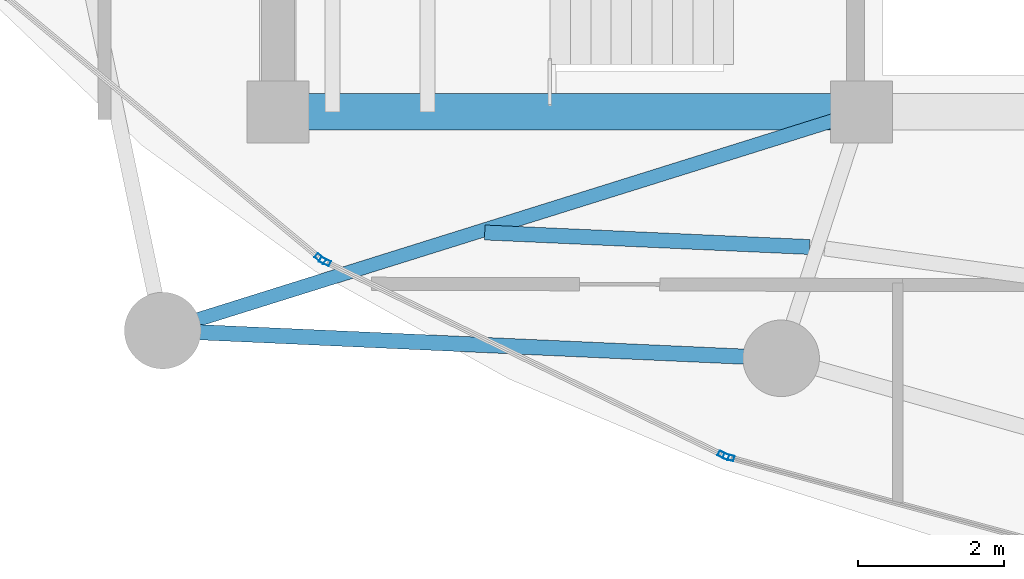
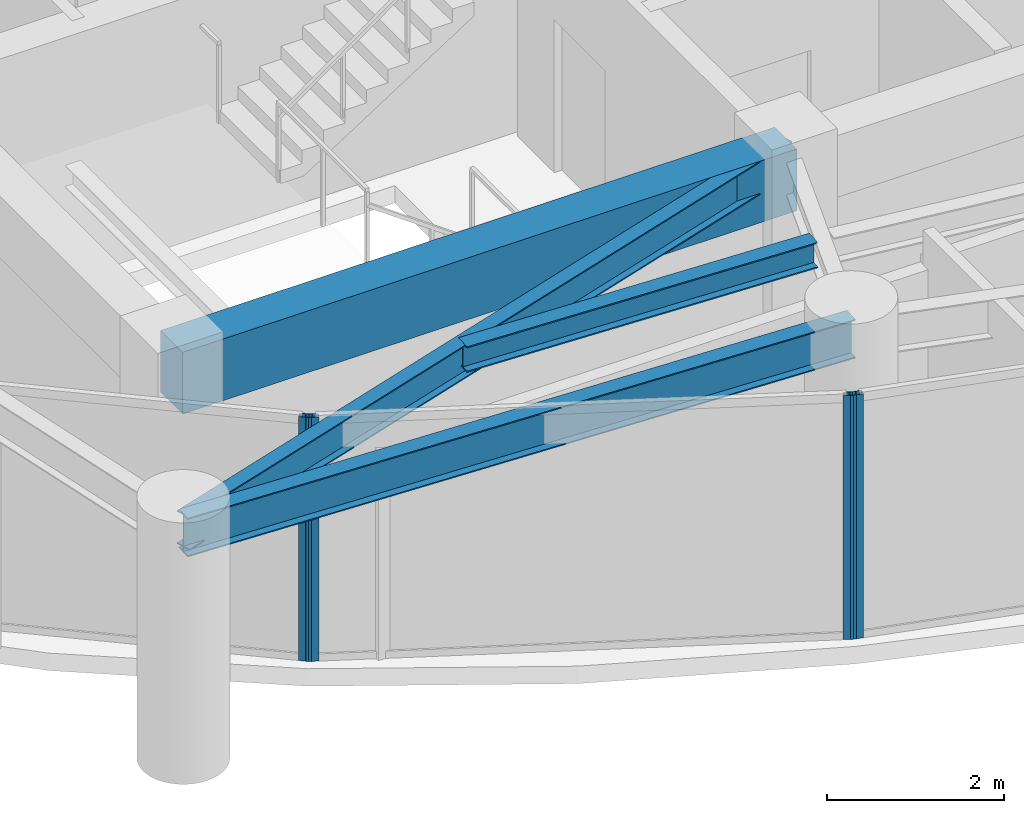
# One storey, part 2 of 31: 4 beams, 4 members, 3 elements without a shape of their own.
"""IFC4 building model written with IfcOpenShell, lengths in metres."""

from ifc_helpers import new_model, si_unit, direction, frame, origin, origin_2d, place, context, subcontext, project, spatial, rectangle, hollow_rectangle, i_section, extrude, material, layer, layer_set, material_profile, profile_set, type_object, element, aggregate, save


model = new_model("IFC4")

# Units and contexts
model_context = context("Model", 3, precision=1e-05, world=origin(), true_north=direction((0.0, 1.0)))
body_context = subcontext(model_context, "Body", "Model", "MODEL_VIEW")
ifc_project = project(units=[si_unit("LENGTHUNIT", "METRE"), si_unit("AREAUNIT", "SQUARE_METRE"), si_unit("VOLUMEUNIT", "CUBIC_METRE"), si_unit("PLANEANGLEUNIT", "RADIAN"), si_unit("MASSUNIT", "GRAM", prefix="KILO")], contexts=[model_context])

# Site, building, storey
site_placement = place(None, origin())
site = spatial("IfcSite", under=ifc_project, at=site_placement, CompositionType="ELEMENT")
building_placement = place(site_placement, origin())
building = spatial("IfcBuilding", under=site, at=building_placement, Name="Kazevale Care Tower and Concert Hall", CompositionType="ELEMENT")
storey_placement = place(building_placement, frame((0.0, 0.0, 238.800048828125)))
storey = spatial("IfcBuildingStorey", under=building, at=storey_placement, Name="L63", CompositionType="ELEMENT", Elevation=238.800048828125)

# Curtain wall, member
ifc_material_1 = material(Name="Aluminium 6063-T6 and Low-E Glass", Category="aluminium")
ifc_layer = layer(ifc_material_1, 0.179931640625)
ifc_layer_set = layer_set([ifc_layer], Name="Aluminium 6063-T6 and Low-E Glass")
curtain_wall_type = type_object("IfcCurtainWallType", Name="Sheltered Concave Balcony Curtain Wall CW-5", PredefinedType="NOTDEFINED", material=ifc_layer_set)
curtain_wall_1_placement = place(storey_placement, origin())
curtain_wall_1 = element("IfcCurtainWall", 1, at=curtain_wall_1_placement, inside=storey, type_object=curtain_wall_type, Name="cw:L63:f08", PredefinedType="NOTDEFINED")
ifc_material_2 = material(Name="Aluminium 6063-T6", Category="aluminium")
ifc_material_profile_1 = material_profile(ifc_material_2, hollow_rectangle(XDim=0.074951171875, YDim=0.14990234375, WallThickness=0.00390625, at=origin_2d()), Name="ALU75x150x4")
ifc_profile_set_1 = profile_set([ifc_material_profile_1], Name="Aluminium 6063-T6")
member_type = type_object("IfcMemberType", Name="CW-5 Mullion ALU75x150x4", PredefinedType="MULLION", material=ifc_profile_set_1)
member_1_placement = place(storey_placement, frame((28.18017578125, 18.863037109375, 0.0), z_axis=(0.0, 0.0, 1.0), x_axis=(-0.262848968947, -0.964836991167, 0.0)))
member_1 = element("IfcMember", 2, at=member_1_placement, type_object=member_type, Name="CW-5 mullion 2", PredefinedType="MULLION", context=body_context, shape_type="SweptSolid", body=[
    extrude(hollow_rectangle(XDim=0.074951171875, YDim=0.14990234375, WallThickness=0.00390625, at=origin_2d()), origin(), (0.0, 0.0, 1.0), 3.35986328125),
])
aggregate(curtain_wall_1, [member_1])

# Curtain wall, members
curtain_wall_2_placement = place(storey_placement, origin())
curtain_wall_2 = element("IfcCurtainWall", 3, at=curtain_wall_2_placement, inside=storey, type_object=curtain_wall_type, Name="cw:L63:f09", PredefinedType="NOTDEFINED")
member_2_placement = place(storey_placement, frame((28.1103515625, 18.889404296875, 0.0), z_axis=(0.0, 0.0, 1.0), x_axis=(-0.437238357087, -0.89934566163, 0.0)))
member_2 = element("IfcMember", 4, at=member_2_placement, type_object=member_type, Name="CW-5 mullion 1", PredefinedType="MULLION", context=body_context, shape_type="SweptSolid", body=[
    extrude(hollow_rectangle(XDim=0.074951171875, YDim=0.14990234375, WallThickness=0.00390625, at=origin_2d()), origin(), (0.0, 0.0, 1.0), 3.35986328125),
])
member_3_placement = place(storey_placement, frame((22.644775390625, 21.546630859375, 0.0), z_axis=(0.0, 0.0, 1.0), x_axis=(-0.437238357087, -0.89934566163, 0.0)))
member_3 = element("IfcMember", 5, at=member_3_placement, type_object=member_type, Name="CW-5 mullion 2", PredefinedType="MULLION", context=body_context, shape_type="SweptSolid", body=[
    extrude(hollow_rectangle(XDim=0.074951171875, YDim=0.14990234375, WallThickness=0.00390625, at=origin_2d()), origin(), (0.0, 0.0, 1.0), 3.35986328125),
])
aggregate(curtain_wall_2, [member_2, member_3])

# Curtain wall, member
curtain_wall_3_placement = place(storey_placement, origin())
curtain_wall_3 = element("IfcCurtainWall", 6, at=curtain_wall_3_placement, inside=storey, type_object=curtain_wall_type, Name="cw:L63:f10", PredefinedType="NOTDEFINED")
member_4_placement = place(storey_placement, frame((22.582275390625, 21.5869140625, 0.0), z_axis=(0.0, 0.0, 1.0), x_axis=(-0.639961217204, -0.768407210062, 0.0)))
member_4 = element("IfcMember", 7, at=member_4_placement, type_object=member_type, Name="CW-5 mullion 1", PredefinedType="MULLION", context=body_context, shape_type="SweptSolid", body=[
    extrude(hollow_rectangle(XDim=0.074951171875, YDim=0.14990234375, WallThickness=0.00390625, at=origin_2d()), origin(), (0.0, 0.0, 1.0), 3.35986328125),
])
aggregate(curtain_wall_3, [member_4])

# Beams
ifc_material_3 = material(Name="Concrete C60", Category="concrete")
ifc_material_profile_2 = material_profile(ifc_material_3, rectangle(XDim=0.5, YDim=0.85009765625, at=origin_2d()), Name="RC-B500x850")
ifc_profile_set_2 = profile_set([ifc_material_profile_2], Name="Concrete C60")
beam_type_1 = type_object("IfcBeamType", Name="Core Coupling Beam RC500x850", PredefinedType="LINTEL", material=ifc_profile_set_2)
beam_1_placement = place(storey_placement, frame((22.0, 23.60009765625, 2.93505859375), z_axis=(1.0, 0.0, 0.0), x_axis=(0.0, 1.0, 0.0)))
element("IfcBeam", 8, at=beam_1_placement, inside=storey, type_object=beam_type_1, Name="beam:L63:coretie:1", PredefinedType="LINTEL", context=body_context, shape_type="SweptSolid", body=[
    extrude(rectangle(XDim=0.5, YDim=0.85009765625, at=origin_2d()), origin(), (0.0, 0.0, 1.0), 8.0),
])
ifc_material_4 = material(Name="Steel ASTM A572 Gr 50", Category="steel")
ifc_material_profile_3 = material_profile(ifc_material_4, i_section(OverallWidth=0.19091796875, OverallDepth=0.4599609375, WebThickness=0.010009765625, FlangeThickness=0.01611328125, at=origin_2d()), Name="W460x82")
ifc_profile_set_3 = profile_set([ifc_material_profile_3], Name="Steel ASTM A572 Gr 50")
beam_type_2 = type_object("IfcBeamType", Name="Radial Floor Beam W460x82", PredefinedType="BEAM", material=ifc_profile_set_3)
beam_2_placement = place(storey_placement, frame((30.0, 23.60009765625, 3.1298828125), z_axis=(-0.954303255322, -0.298839918486, 0.0), x_axis=(0.298839918486, -0.954303255322, 0.0)))
element("IfcBeam", 9, at=beam_2_placement, inside=storey, type_object=beam_type_2, Name="beam:L63:rad:10", PredefinedType="BEAM", context=body_context, shape_type="SweptSolid", body=[
    extrude(i_section(OverallWidth=0.19091796875, OverallDepth=0.4599609375, WebThickness=0.010009765625, FlangeThickness=0.01611328125, at=origin_2d()), origin(), (0.0, 0.0, 1.0), 10.038818359375),
])
ifc_material_profile_4 = material_profile(ifc_material_4, i_section(OverallWidth=0.205078125, OverallDepth=0.35400390625, WebThickness=0.009521484375, FlangeThickness=0.016845703125, at=origin_2d()), Name="W360x79")
ifc_profile_set_4 = profile_set([ifc_material_profile_4], Name="Steel ASTM A572 Gr 50")
beam_type_3 = type_object("IfcBeamType", Name="Secondary Floor Joist W360x79", PredefinedType="JOIST", material=ifc_profile_set_4)
beam_3_placement = place(storey_placement, frame((24.8359375, 21.945068359375, 3.182861328125), z_axis=(0.999003687274, -0.044627713502, 0.0), x_axis=(0.044627713502, 0.999003687274, 0.0)))
element("IfcBeam", 10, at=beam_3_placement, inside=storey, type_object=beam_type_3, Name="beam:L63:joist:10", PredefinedType="JOIST", context=body_context, shape_type="SweptSolid", body=[
    extrude(i_section(OverallWidth=0.205078125, OverallDepth=0.35400390625, WebThickness=0.009521484375, FlangeThickness=0.016845703125, at=origin_2d()), origin(), (0.0, 0.0, 1.0), 4.45849609375),
])
ifc_material_profile_5 = material_profile(ifc_material_4, i_section(OverallWidth=0.208984375, OverallDepth=0.532958984375, WebThickness=0.01025390625, FlangeThickness=0.015625, at=origin_2d()), Name="W530x92")
ifc_profile_set_5 = profile_set([ifc_material_profile_5], Name="Steel ASTM A572 Gr 50")
beam_type_4 = type_object("IfcBeamType", Name="Upper Ring Beam W530x92", PredefinedType="BEAM", material=ifc_profile_set_5)
beam_4_placement = place(storey_placement, frame((20.419921875, 20.60009765625, 3.093505859375), z_axis=(0.998996808771, -0.044781425441, 0.0), x_axis=(0.044781425441, 0.998996808771, 0.0)))
element("IfcBeam", 11, at=beam_4_placement, inside=storey, type_object=beam_type_4, Name="beam:L63:ring:10", PredefinedType="BEAM", context=body_context, shape_type="SweptSolid", body=[
    extrude(i_section(OverallWidth=0.208984375, OverallDepth=0.532958984375, WebThickness=0.01025390625, FlangeThickness=0.015625, at=origin_2d()), origin(), (0.0, 0.0, 1.0), 8.488525390625),
])

save(model, "model.ifc")
